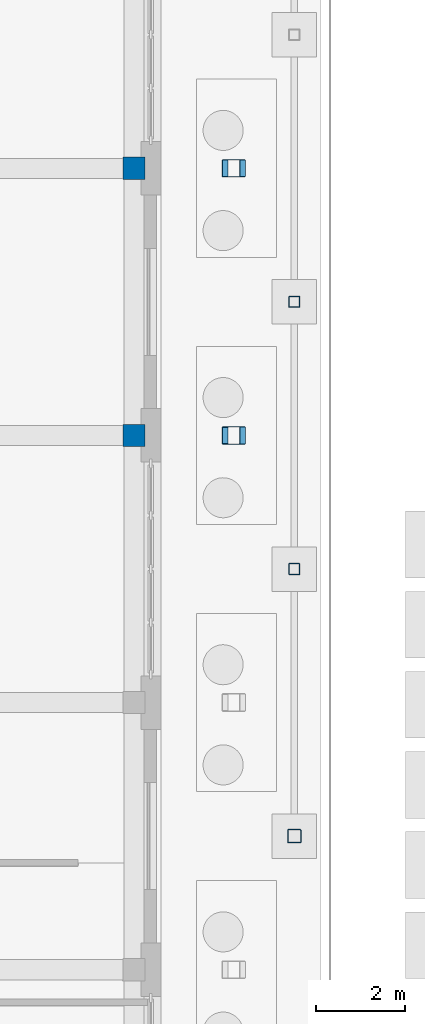
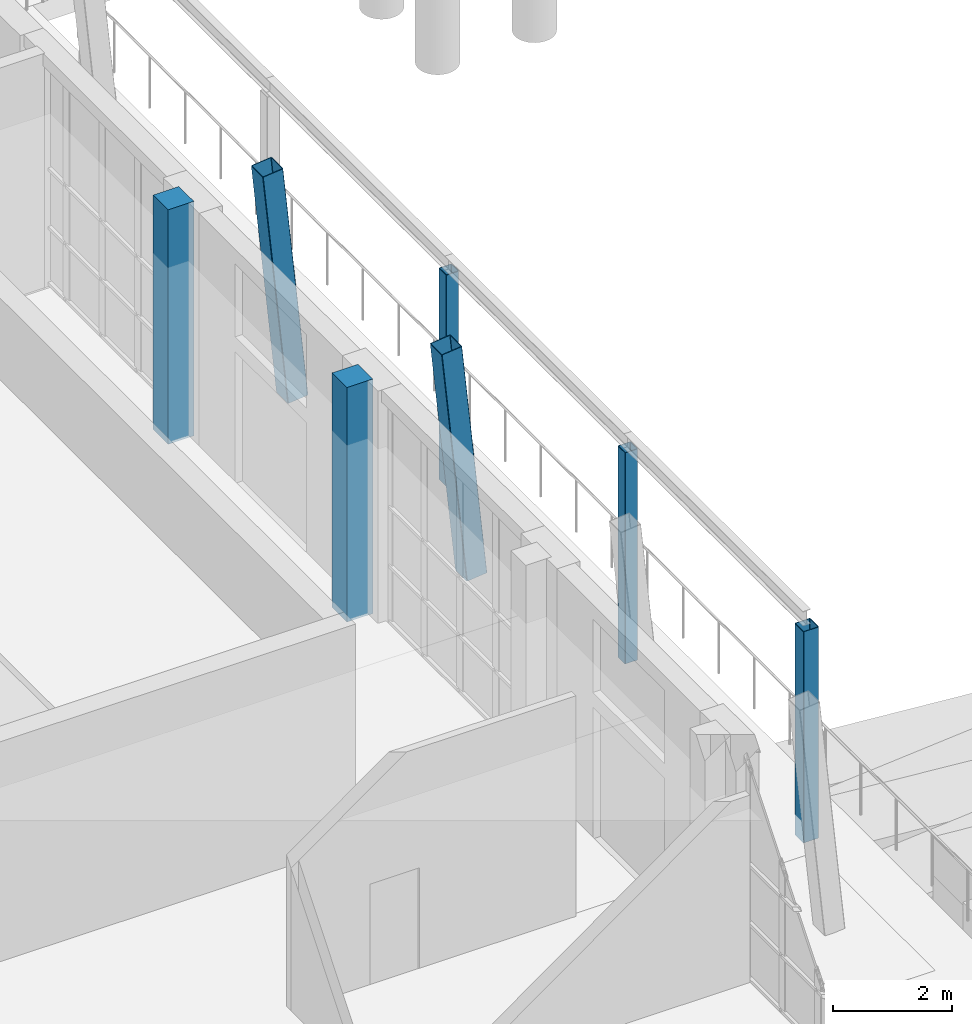
# One storey, part 4 of 144: 7 columns.
"""IFC4 building model written with IfcOpenShell, lengths in metres."""

from ifc_helpers import new_model, si_unit, direction, frame, origin, origin_2d, place, context, subcontext, project, spatial, rectangle, hollow_rectangle, extrude, material, material_profile, profile_set, type_object, element, save


model = new_model("IFC4")

# Units and contexts
model_context = context("Model", 3, precision=1e-05, world=origin(), true_north=direction((0.0, 1.0)))
body_context = subcontext(model_context, "Body", "Model", "MODEL_VIEW")
ifc_project = project(units=[si_unit("LENGTHUNIT", "METRE"), si_unit("AREAUNIT", "SQUARE_METRE"), si_unit("VOLUMEUNIT", "CUBIC_METRE"), si_unit("PLANEANGLEUNIT", "RADIAN"), si_unit("MASSUNIT", "GRAM", prefix="KILO")], contexts=[model_context])

# Site, building, storey
site_placement = place(None, origin())
site = spatial("IfcSite", under=ifc_project, at=site_placement, CompositionType="ELEMENT")
building_placement = place(site_placement, origin())
building = spatial("IfcBuilding", under=site, at=building_placement, Name="Lantern Court Media Centre", CompositionType="ELEMENT")
storey_placement = place(building_placement, origin())
storey = spatial("IfcBuildingStorey", under=building, at=storey_placement, Name="L00", CompositionType="ELEMENT", Elevation=0.0)

# Columns
ifc_material_1 = material(Name="Steel S355J2 (EN 10025-2)", Category="steel")
ifc_material_profile_1 = material_profile(ifc_material_1, hollow_rectangle(XDim=0.39990234375, YDim=0.39990234375, WallThickness=0.012451171875, InnerFilletRadius=0.012451171875, OuterFilletRadius=0.018798828125, at=origin_2d()), Name="Cinema Hall buttress column SHS 400x12.5")
ifc_profile_set_1 = profile_set([ifc_material_profile_1], Name="Steel S355J2 (EN 10025-2)")
column_type_1 = type_object("IfcColumnType", Name="Cinema Hall buttress column SHS 400x12.5", PredefinedType="COLUMN", material=ifc_profile_set_1)
for number, where, z_axis, x_axis, name in (
    (1, (33.699951171875, 22.0, 0.0), (-0.100901453218, 0.0, 0.994896425131), (0.0, -1.0, 0.0), "Cinema Hall buttress east 5"),
    (2, (33.699951171875, 28.0, 0.0), (-0.100901453218, 0.0, 0.994896425131), (0.0, -1.0, 0.0), "Cinema Hall buttress east 6"),
):
    element("IfcColumn", number, at=place(storey_placement, frame(where, z_axis=z_axis, x_axis=x_axis)), inside=storey, type_object=column_type_1, Name=name, PredefinedType="COLUMN", context=body_context, shape_type="SweptSolid", body=[
        extrude(hollow_rectangle(XDim=0.39990234375, YDim=0.39990234375, WallThickness=0.012451171875, InnerFilletRadius=0.012451171875, OuterFilletRadius=0.018798828125, at=origin_2d()), origin(), (0.0, 0.0, 1.0), 4.82470703125),
    ])
ifc_material_profile_2 = material_profile(ifc_material_1, hollow_rectangle(XDim=0.300048828125, YDim=0.300048828125, WallThickness=0.010009765625, InnerFilletRadius=0.010009765625, OuterFilletRadius=0.014892578125, at=origin_2d()), Name="Forecourt colonnade end post SHS 300x10")
ifc_profile_set_2 = profile_set([ifc_material_profile_2], Name="Steel S355J2 (EN 10025-2)")
column_type_2 = type_object("IfcColumnType", Name="Forecourt colonnade end post SHS 300x10", PredefinedType="COLUMN", material=ifc_profile_set_2)
column_placement = place(storey_placement, frame((35.0, 13.0, -0.419921875), z_axis=(0.0, 0.0, 1.0), x_axis=(1.0, 0.0, 0.0)))
element("IfcColumn", 3, at=column_placement, inside=storey, type_object=column_type_2, Name="Forecourt colonnade post V1 1", PredefinedType="COLUMN", context=body_context, shape_type="SweptSolid", body=[
    extrude(hollow_rectangle(XDim=0.300048828125, YDim=0.300048828125, WallThickness=0.010009765625, InnerFilletRadius=0.010009765625, OuterFilletRadius=0.014892578125, at=origin_2d()), origin(), (0.0, 0.0, 1.0), 4.31982421875),
])
ifc_material_profile_3 = material_profile(ifc_material_1, hollow_rectangle(XDim=0.25, YDim=0.25, WallThickness=0.010009765625, InnerFilletRadius=0.010009765625, OuterFilletRadius=0.014892578125, at=origin_2d()), Name="Forecourt colonnade post SHS 250x10")
ifc_profile_set_3 = profile_set([ifc_material_profile_3], Name="Steel S355J2 (EN 10025-2)")
column_type_3 = type_object("IfcColumnType", Name="Forecourt colonnade post SHS 250x10", PredefinedType="COLUMN", material=ifc_profile_set_3)
for number, where, z_axis, x_axis, name in (
    (4, (35.0, 19.0, -0.419921875), (0.0, 0.0, 1.0), (1.0, 0.0, 0.0), "Forecourt colonnade post V1 2"),
    (5, (35.0, 25.0, -0.419921875), (0.0, 0.0, 1.0), (1.0, 0.0, 0.0), "Forecourt colonnade post V1 3"),
):
    element("IfcColumn", number, at=place(storey_placement, frame(where, z_axis=z_axis, x_axis=x_axis)), inside=storey, type_object=column_type_3, Name=name, PredefinedType="COLUMN", context=body_context, shape_type="SweptSolid", body=[
        extrude(hollow_rectangle(XDim=0.25, YDim=0.25, WallThickness=0.010009765625, InnerFilletRadius=0.010009765625, OuterFilletRadius=0.014892578125, at=origin_2d()), origin(), (0.0, 0.0, 1.0), 4.31982421875),
    ])
ifc_material_2 = material(Name="Concrete C35", Category="concrete")
ifc_material_profile_4 = material_profile(ifc_material_2, rectangle(XDim=0.5, YDim=0.5, at=origin_2d()), Name="RC 500x500")
ifc_profile_set_4 = profile_set([ifc_material_profile_4], Name="Concrete C35")
column_type_4 = type_object("IfcColumnType", Name="RC COLUMN 500x500", PredefinedType="COLUMN", material=ifc_profile_set_4)
for number, where, z_axis, x_axis, name in (
    (6, (31.39990234375, 22.0, 0.0), (0.0, 0.0, 1.0), (1.0, 0.0, 0.0), "C-V1-4-4-L00"),
    (7, (31.39990234375, 28.0, 0.0), (0.0, 0.0, 1.0), (1.0, 0.0, 0.0), "C-V1-4-5-L00"),
):
    element("IfcColumn", number, at=place(storey_placement, frame(where, z_axis=z_axis, x_axis=x_axis)), inside=storey, type_object=column_type_4, Name=name, PredefinedType="COLUMN", context=body_context, shape_type="SweptSolid", body=[
        extrude(rectangle(XDim=0.5, YDim=0.5, at=origin_2d()), origin(), (0.0, 0.0, 1.0), 4.800048828125),
    ])

save(model, "model.ifc")
